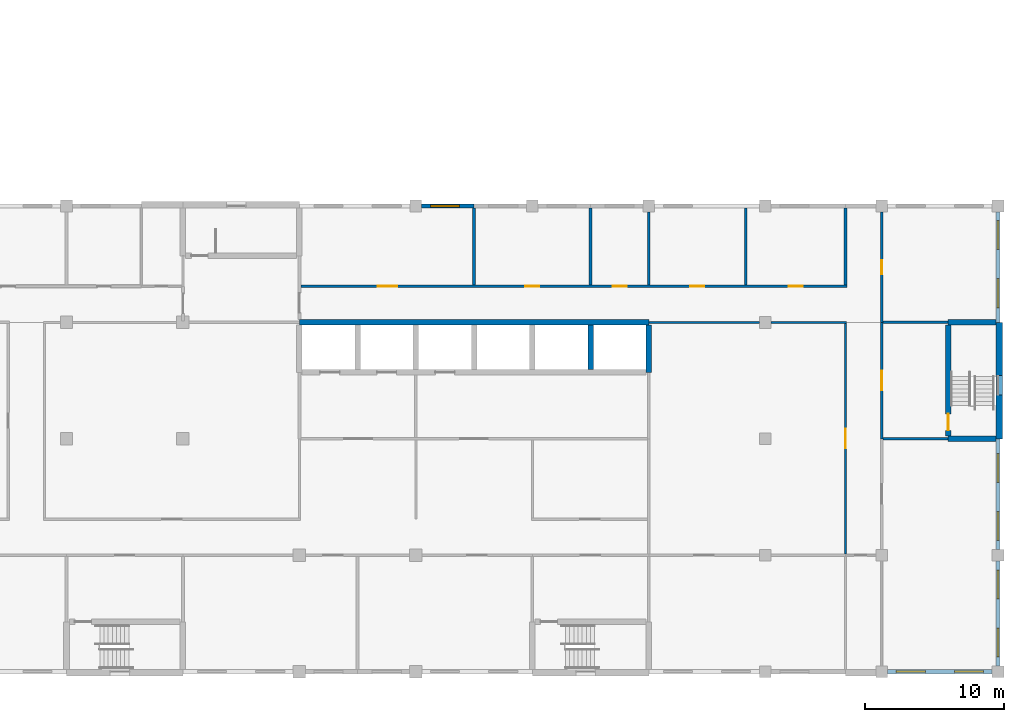
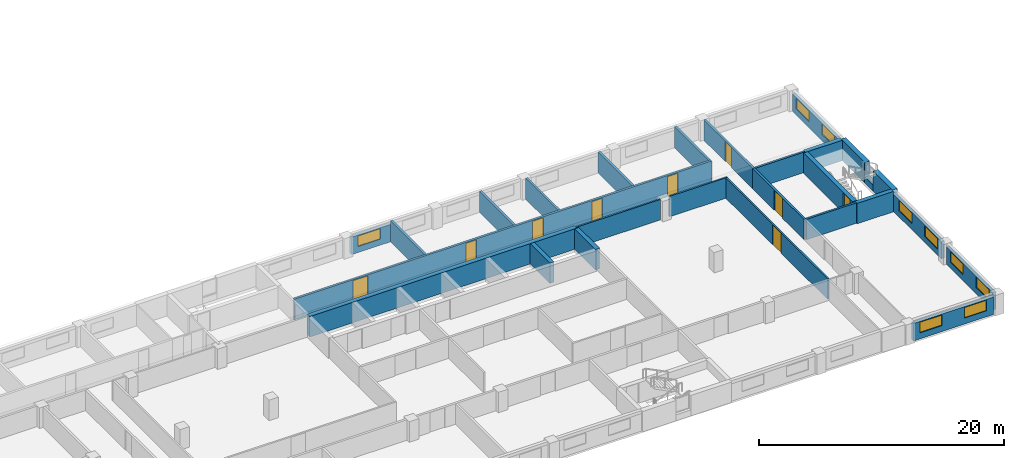
# One storey, part 40 of 48: 27 walls, 9 doors, 9 windows, 18 openings.
"""IFC4 building model written with IfcOpenShell, lengths in metres."""

from ifc_helpers import new_model, si_unit, direction, frame, frame_2d, origin, place, context, subcontext, project, spatial, rectangle, extrude, material, layer, layer_set, type_object, element, fill, save


model = new_model("IFC4")

# Units and contexts
model_context = context("Model", 3, precision=1e-05, world=origin(), true_north=direction((0.0, 1.0)))
body_context = subcontext(model_context, "Body", "Model", "MODEL_VIEW")
ifc_project = project(units=[si_unit("LENGTHUNIT", "METRE"), si_unit("AREAUNIT", "SQUARE_METRE"), si_unit("VOLUMEUNIT", "CUBIC_METRE"), si_unit("PLANEANGLEUNIT", "RADIAN"), si_unit("MASSUNIT", "GRAM", prefix="KILO")], contexts=[model_context])

# Site, building, storey
site_placement = place(None, origin())
site = spatial("IfcSite", under=ifc_project, at=site_placement, CompositionType="ELEMENT")
building_placement = place(site_placement, origin())
building = spatial("IfcBuilding", under=site, at=building_placement, Name="Yavir Park General Hospital", CompositionType="ELEMENT")
storey_placement = place(building_placement, frame((0.0, 0.0, 12.89990234375)))
storey = spatial("IfcBuildingStorey", under=building, at=storey_placement, Name="I02", CompositionType="ELEMENT", Elevation=12.89990234375)

# Walls
ifc_material_1 = material(Name="Double gypsum board fire partition on steel studs", Category="steel")
ifc_layer_1 = layer(ifc_material_1, 0.199951171875)
ifc_layer_set_1 = layer_set([ifc_layer_1], Name="Double gypsum board fire partition on steel studs")
wall_type_1 = type_object("IfcWallType", Name="Fire-rated partition 200, EI 60", PredefinedType="PARTITIONING", material=ifc_layer_set_1)
for number, where, z_axis, x_axis, name in (
    (1, (159.699951171875, 16.800048828125, 0.0), (0.0, 0.0, 1.0), (1.0, 0.0, 0.0), "FP20 I02-036"),
    (2, (159.699951171875, 25.199951171875, 0.0), (0.0, 0.0, 1.0), (1.0, 0.0, 0.0), "FP20 I02-060"),
):
    element("IfcWall", number, at=place(storey_placement, frame(where, z_axis=z_axis, x_axis=x_axis)), inside=storey, type_object=wall_type_1, Name=name, PredefinedType="PARTITIONING", context=body_context, shape_type="SweptSolid", body=[
        extrude(rectangle(XDim=4.699951171875, YDim=0.199951171875, at=frame_2d((2.35009765625, 0.0))), origin(), (0.0, 0.0, 1.0), 2.0400390625),
    ])

# Wall, opening, door
wall_1_placement = place(storey_placement, frame((159.60009765625, 16.800048828125, 0.0), z_axis=(0.0, 0.0, 1.0), x_axis=(0.0, 1.0, 0.0)))
wall_1 = element("IfcWall", 3, at=wall_1_placement, inside=storey, type_object=wall_type_1, Name="FP20 I02-207", PredefinedType="PARTITIONING", context=body_context, shape_type="SweptSolid", body=[
    extrude(rectangle(XDim=8.39990234375, YDim=0.199951171875, at=frame_2d((4.199951171875, 0.0))), origin(), (0.0, 0.0, 1.0), 2.0400390625),
])
opening_1_placement = place(wall_1_placement, frame((3.5, 0.0, 0.0)))
opening_1 = element("IfcOpeningElement", 4, at=opening_1_placement, cuts=wall_1, Name="Opening I02.D088", PredefinedType="OPENING", context=body_context, shape_type="SweptSolid", body=[
    extrude(rectangle(XDim=1.39990234375, YDim=2.0, at=frame_2d((0.699951171875, 1.0))), frame((0.0, 0.10986328125, 0.0), z_axis=(0.0, -1.0, 0.0), x_axis=(1.0, 0.0, 0.0)), (0.0, 0.0, 1.0), 0.219970703125),
])
ifc_material_2 = material(Name="Steel frame, fire-resisting leaves with vision panels", Category="steel")
door_type_1 = type_object("IfcDoorType", Name="Double fire door with vision panels 1400 x 2000, EI 60", OperationType="DOUBLE_DOOR_SINGLE_SWING", PredefinedType="DOOR", material=ifc_material_2)
door_1_placement = place(opening_1_placement, origin())
door_1 = element("IfcDoor", 5, at=door_1_placement, inside=storey, type_object=door_type_1, Name="I02.D088", OperationType="SINGLE_SWING_LEFT", OverallHeight=2.0, OverallWidth=1.39990234375, PredefinedType="DOOR", context=body_context, shape_type="SweptSolid", body=[
    extrude(rectangle(XDim=1.39990234375, YDim=2.0, at=frame_2d((0.699951171875, 1.0))), frame((0.0, 0.030029296875, 0.0), z_axis=(0.0, -1.0, 0.0), x_axis=(1.0, 0.0, 0.0)), (0.0, 0.0, 1.0), 0.06005859375),
])
fill(opening_1, door_1)

# Walls
ifc_material_3 = material(Name="Gypsum board partition on steel studs", Category="steel")
ifc_layer_2 = layer(ifc_material_3, 0.14990234375)
ifc_layer_set_2 = layer_set([ifc_layer_2], Name="Gypsum board partition on steel studs")
wall_type_2 = type_object("IfcWallType", Name="Gypsum board partition 150", PredefinedType="PARTITIONING", material=ifc_layer_set_2)
wall_2_placement = place(storey_placement, frame((142.800048828125, 25.199951171875, 0.0), z_axis=(0.0, 0.0, 1.0), x_axis=(1.0, 0.0, 0.0)))
element("IfcWall", 6, at=wall_2_placement, inside=storey, type_object=wall_type_2, Name="P15 I02-058", PredefinedType="PARTITIONING", context=body_context, shape_type="SweptSolid", body=[
    extrude(rectangle(XDim=7.974853515625, YDim=0.14990234375, at=frame_2d((3.9873046875, 0.0))), origin(), (0.0, 0.0, 1.0), 2.0400390625),
])
wall_3_placement = place(storey_placement, frame((151.625, 25.199951171875, 0.0), z_axis=(0.0, 0.0, 1.0), x_axis=(1.0, 0.0, 0.0)))
element("IfcWall", 7, at=wall_3_placement, inside=storey, type_object=wall_type_2, Name="P15 I02-059", PredefinedType="PARTITIONING", context=body_context, shape_type="SweptSolid", body=[
    extrude(rectangle(XDim=5.449951171875, YDim=0.14990234375, at=frame_2d((2.72509765625, 0.0))), origin(), (0.0, 0.0, 1.0), 2.0400390625),
])

# Wall, opening, door
wall_4_placement = place(storey_placement, frame((157.0, 8.5, 0.0), z_axis=(0.0, 0.0, 1.0), x_axis=(0.0, 1.0, 0.0)))
wall_4 = element("IfcWall", 8, at=wall_4_placement, inside=storey, type_object=wall_type_2, Name="P15 I02-203", PredefinedType="PARTITIONING", context=body_context, shape_type="SweptSolid", body=[
    extrude(rectangle(XDim=16.625, YDim=0.14990234375, at=frame_2d((8.3125, 0.0))), origin(), (0.0, 0.0, 1.0), 2.0400390625),
])
opening_2_placement = place(wall_4_placement, frame((7.612548828125, 0.0, 0.0)))
opening_2 = element("IfcOpeningElement", 9, at=opening_2_placement, cuts=wall_4, Name="Opening I02.D086", PredefinedType="OPENING", context=body_context, shape_type="SweptSolid", body=[
    extrude(rectangle(XDim=1.39990234375, YDim=2.0, at=frame_2d((0.699951171875, 1.0))), frame((0.0, 0.0849609375, 0.0), z_axis=(0.0, -1.0, 0.0), x_axis=(1.0, 0.0, 0.0)), (0.0, 0.0, 1.0), 0.169921875),
])
ifc_material_4 = material(Name="Hollow metal frame, solid-core timber leaf", Category="wood")
door_type_2 = type_object("IfcDoorType", Name="Double swing door 1400 x 2000", OperationType="DOUBLE_DOOR_SINGLE_SWING", PredefinedType="DOOR", material=ifc_material_4)
door_2_placement = place(opening_2_placement, origin())
door_2 = element("IfcDoor", 10, at=door_2_placement, inside=storey, type_object=door_type_2, Name="I02.D086", OperationType="SINGLE_SWING_RIGHT", OverallHeight=2.0, OverallWidth=1.39990234375, PredefinedType="DOOR", context=body_context, shape_type="SweptSolid", body=[
    extrude(rectangle(XDim=1.39990234375, YDim=2.0, at=frame_2d((0.699951171875, 1.0))), frame((0.0, 0.02490234375, 0.0), z_axis=(0.0, -1.0, 0.0), x_axis=(1.0, 0.0, 0.0)), (0.0, 0.0, 1.0), 0.050048828125),
])
fill(opening_2, door_2)

# Wall, openings, windows
ifc_material_5 = material(Name="Insulated sandwich panels on a Steel S355 subframe", Category="steel")
ifc_layer_3 = layer(ifc_material_5, 0.300048828125)
ifc_layer_set_3 = layer_set([ifc_layer_3], Name="Insulated sandwich panels on a Steel S355 subframe")
wall_type_3 = type_object("IfcWallType", Name="Insulated panel service floor wall 300, E 30", PredefinedType="SOLIDWALL", material=ifc_layer_set_3)
wall_5_placement = place(storey_placement, frame((160.02490234375, 0.0, 0.0), z_axis=(0.0, 0.0, 1.0), x_axis=(1.0, 0.0, 0.0)))
wall_5 = element("IfcWall", 11, at=wall_5_placement, inside=storey, type_object=wall_type_3, Name="XW5 I02-033", PredefinedType="SOLIDWALL", context=body_context, shape_type="SweptSolid", body=[
    extrude(rectangle(XDim=7.550048828125, YDim=0.300048828125, at=frame_2d((3.77490234375, 0.0))), origin(), (0.0, 0.0, 1.0), 1.739990234375),
])
opening_3_placement = place(wall_5_placement, frame((0.625, 0.0, 0.60009765625)))
opening_3 = element("IfcOpeningElement", 12, at=opening_3_placement, cuts=wall_5, Name="Opening LV3", PredefinedType="OPENING", context=body_context, shape_type="SweptSolid", body=[
    extrude(rectangle(XDim=2.10009765625, YDim=1.050048828125, at=frame_2d((1.050048828125, 0.52490234375))), frame((0.0, 0.159912109375, 0.0), z_axis=(0.0, -1.0, 0.0), x_axis=(1.0, 0.0, 0.0)), (0.0, 0.0, 1.0), 0.320068359375),
])
opening_4_placement = place(wall_5_placement, frame((4.824951171875, 0.0, 0.60009765625)))
opening_4 = element("IfcOpeningElement", 13, at=opening_4_placement, cuts=wall_5, Name="Opening LV3", PredefinedType="OPENING", context=body_context, shape_type="SweptSolid", body=[
    extrude(rectangle(XDim=2.10009765625, YDim=1.050048828125, at=frame_2d((1.050048828125, 0.52490234375))), frame((0.0, 0.159912109375, 0.0), z_axis=(0.0, -1.0, 0.0), x_axis=(1.0, 0.0, 0.0)), (0.0, 0.0, 1.0), 0.320068359375),
])
ifc_material_6 = material(Name="Anodised aluminium louvre blades in a deep frame", Category="aluminium")
window_type = type_object("IfcWindowType", Name="Interstitial floor louvre 2100 x 1050", PartitioningType="SINGLE_PANEL", PredefinedType="WINDOW", material=ifc_material_6)
window_1_placement = place(opening_3_placement, origin())
window_1 = element("IfcWindow", 14, at=window_1_placement, inside=storey, type_object=window_type, Name="LV3 I02-030", OverallHeight=1.050048828125, OverallWidth=2.10009765625, PartitioningType="SINGLE_PANEL", PredefinedType="WINDOW", context=body_context, shape_type="SweptSolid", body=[
    extrude(rectangle(XDim=2.10009765625, YDim=1.050048828125, at=frame_2d((1.050048828125, 0.52490234375))), frame((0.0, 0.074951171875, 0.0), z_axis=(0.0, -1.0, 0.0), x_axis=(1.0, 0.0, 0.0)), (0.0, 0.0, 1.0), 0.14990234375),
])
fill(opening_3, window_1)
window_2_placement = place(opening_4_placement, origin())
window_2 = element("IfcWindow", 15, at=window_2_placement, inside=storey, type_object=window_type, Name="LV3 I02-031", OverallHeight=1.050048828125, OverallWidth=2.10009765625, PartitioningType="SINGLE_PANEL", PredefinedType="WINDOW", context=body_context, shape_type="SweptSolid", body=[
    extrude(rectangle(XDim=2.10009765625, YDim=1.050048828125, at=frame_2d((1.050048828125, 0.52490234375))), frame((0.0, 0.074951171875, 0.0), z_axis=(0.0, -1.0, 0.0), x_axis=(1.0, 0.0, 0.0)), (0.0, 0.0, 1.0), 0.14990234375),
])
fill(opening_4, window_2)

# Wall, opening, window
wall_6_placement = place(storey_placement, frame((126.425048828125, 33.60009765625, 0.0), z_axis=(0.0, 0.0, 1.0), x_axis=(1.0, 0.0, 0.0)))
wall_6 = element("IfcWall", 16, at=wall_6_placement, inside=storey, type_object=wall_type_3, Name="XW5 I02-054", PredefinedType="SOLIDWALL", context=body_context, shape_type="SweptSolid", body=[
    extrude(rectangle(XDim=3.77490234375, YDim=0.300048828125, at=frame_2d((1.887451171875, 0.0))), origin(), (0.0, 0.0, 1.0), 1.739990234375),
])
opening_5_placement = place(wall_6_placement, frame((0.625, 0.0, 0.60009765625)))
opening_5 = element("IfcOpeningElement", 17, at=opening_5_placement, cuts=wall_6, Name="Opening LV3", PredefinedType="OPENING", context=body_context, shape_type="SweptSolid", body=[
    extrude(rectangle(XDim=2.10009765625, YDim=1.050048828125, at=frame_2d((1.050048828125, 0.52490234375))), frame((0.0, 0.159912109375, 0.0), z_axis=(0.0, -1.0, 0.0), x_axis=(1.0, 0.0, 0.0)), (0.0, 0.0, 1.0), 0.320068359375),
])
window_3_placement = place(opening_5_placement, origin())
window_3 = element("IfcWindow", 18, at=window_3_placement, inside=storey, type_object=window_type, Name="LV3 I02-051", OverallHeight=1.050048828125, OverallWidth=2.10009765625, PartitioningType="SINGLE_PANEL", PredefinedType="WINDOW", context=body_context, shape_type="SweptSolid", body=[
    extrude(rectangle(XDim=2.10009765625, YDim=1.050048828125, at=frame_2d((1.050048828125, 0.52490234375))), frame((0.0, 0.074951171875, 0.0), z_axis=(0.0, -1.0, 0.0), x_axis=(1.0, 0.0, 0.0)), (0.0, 0.0, 1.0), 0.14990234375),
])
fill(opening_5, window_3)

# Wall, openings, windows
wall_7_placement = place(storey_placement, frame((168.0, 0.425048828125, 0.0), z_axis=(0.0, 0.0, 1.0), x_axis=(0.0, 1.0, 0.0)))
wall_7 = element("IfcWall", 19, at=wall_7_placement, inside=storey, type_object=wall_type_3, Name="XW5 I02-105", PredefinedType="SOLIDWALL", context=body_context, shape_type="SweptSolid", body=[
    extrude(rectangle(XDim=7.550048828125, YDim=0.300048828125, at=frame_2d((3.77490234375, 0.0))), origin(), (0.0, 0.0, 1.0), 1.739990234375),
])
opening_6_placement = place(wall_7_placement, frame((0.625, 0.0, 0.60009765625)))
opening_6 = element("IfcOpeningElement", 20, at=opening_6_placement, cuts=wall_7, Name="Opening LV3", PredefinedType="OPENING", context=body_context, shape_type="SweptSolid", body=[
    extrude(rectangle(XDim=2.10009765625, YDim=1.050048828125, at=frame_2d((1.050048828125, 0.52490234375))), frame((0.0, 0.159912109375, 0.0), z_axis=(0.0, -1.0, 0.0), x_axis=(1.0, 0.0, 0.0)), (0.0, 0.0, 1.0), 0.320068359375),
])
opening_7_placement = place(wall_7_placement, frame((4.824951171875, 0.0, 0.60009765625)))
opening_7 = element("IfcOpeningElement", 21, at=opening_7_placement, cuts=wall_7, Name="Opening LV3", PredefinedType="OPENING", context=body_context, shape_type="SweptSolid", body=[
    extrude(rectangle(XDim=2.10009765625, YDim=1.050048828125, at=frame_2d((1.050048828125, 0.52490234375))), frame((0.0, 0.159912109375, 0.0), z_axis=(0.0, -1.0, 0.0), x_axis=(1.0, 0.0, 0.0)), (0.0, 0.0, 1.0), 0.320068359375),
])
window_4_placement = place(opening_6_placement, origin())
window_4 = element("IfcWindow", 22, at=window_4_placement, inside=storey, type_object=window_type, Name="LV3 I02-101", OverallHeight=1.050048828125, OverallWidth=2.10009765625, PartitioningType="SINGLE_PANEL", PredefinedType="WINDOW", context=body_context, shape_type="SweptSolid", body=[
    extrude(rectangle(XDim=2.10009765625, YDim=1.050048828125, at=frame_2d((1.050048828125, 0.52490234375))), frame((0.0, 0.074951171875, 0.0), z_axis=(0.0, -1.0, 0.0), x_axis=(1.0, 0.0, 0.0)), (0.0, 0.0, 1.0), 0.14990234375),
])
fill(opening_6, window_4)
window_5_placement = place(opening_7_placement, origin())
window_5 = element("IfcWindow", 23, at=window_5_placement, inside=storey, type_object=window_type, Name="LV3 I02-102", OverallHeight=1.050048828125, OverallWidth=2.10009765625, PartitioningType="SINGLE_PANEL", PredefinedType="WINDOW", context=body_context, shape_type="SweptSolid", body=[
    extrude(rectangle(XDim=2.10009765625, YDim=1.050048828125, at=frame_2d((1.050048828125, 0.52490234375))), frame((0.0, 0.074951171875, 0.0), z_axis=(0.0, -1.0, 0.0), x_axis=(1.0, 0.0, 0.0)), (0.0, 0.0, 1.0), 0.14990234375),
])
fill(opening_7, window_5)

wall_8_placement = place(storey_placement, frame((168.0, 8.824951171875, 0.0), z_axis=(0.0, 0.0, 1.0), x_axis=(0.0, 1.0, 0.0)))
wall_8 = element("IfcWall", 24, at=wall_8_placement, inside=storey, type_object=wall_type_3, Name="XW5 I02-106", PredefinedType="SOLIDWALL", context=body_context, shape_type="SweptSolid", body=[
    extrude(rectangle(XDim=7.97509765625, YDim=0.300048828125, at=frame_2d((3.987548828125, 0.0))), origin(), (0.0, 0.0, 1.0), 1.739990234375),
])
opening_8_placement = place(wall_8_placement, frame((0.625, 0.0, 0.60009765625)))
opening_8 = element("IfcOpeningElement", 25, at=opening_8_placement, cuts=wall_8, Name="Opening LV3", PredefinedType="OPENING", context=body_context, shape_type="SweptSolid", body=[
    extrude(rectangle(XDim=2.10009765625, YDim=1.050048828125, at=frame_2d((1.050048828125, 0.52490234375))), frame((0.0, 0.159912109375, 0.0), z_axis=(0.0, -1.0, 0.0), x_axis=(1.0, 0.0, 0.0)), (0.0, 0.0, 1.0), 0.320068359375),
])
opening_9_placement = place(wall_8_placement, frame((4.824951171875, 0.0, 0.60009765625)))
opening_9 = element("IfcOpeningElement", 26, at=opening_9_placement, cuts=wall_8, Name="Opening LV3", PredefinedType="OPENING", context=body_context, shape_type="SweptSolid", body=[
    extrude(rectangle(XDim=2.10009765625, YDim=1.050048828125, at=frame_2d((1.050048828125, 0.52490234375))), frame((0.0, 0.159912109375, 0.0), z_axis=(0.0, -1.0, 0.0), x_axis=(1.0, 0.0, 0.0)), (0.0, 0.0, 1.0), 0.320068359375),
])
window_6_placement = place(opening_8_placement, origin())
window_6 = element("IfcWindow", 27, at=window_6_placement, inside=storey, type_object=window_type, Name="LV3 I02-103", OverallHeight=1.050048828125, OverallWidth=2.10009765625, PartitioningType="SINGLE_PANEL", PredefinedType="WINDOW", context=body_context, shape_type="SweptSolid", body=[
    extrude(rectangle(XDim=2.10009765625, YDim=1.050048828125, at=frame_2d((1.050048828125, 0.52490234375))), frame((0.0, 0.074951171875, 0.0), z_axis=(0.0, -1.0, 0.0), x_axis=(1.0, 0.0, 0.0)), (0.0, 0.0, 1.0), 0.14990234375),
])
fill(opening_8, window_6)
window_7_placement = place(opening_9_placement, origin())
window_7 = element("IfcWindow", 28, at=window_7_placement, inside=storey, type_object=window_type, Name="LV3 I02-104", OverallHeight=1.050048828125, OverallWidth=2.10009765625, PartitioningType="SINGLE_PANEL", PredefinedType="WINDOW", context=body_context, shape_type="SweptSolid", body=[
    extrude(rectangle(XDim=2.10009765625, YDim=1.050048828125, at=frame_2d((1.050048828125, 0.52490234375))), frame((0.0, 0.074951171875, 0.0), z_axis=(0.0, -1.0, 0.0), x_axis=(1.0, 0.0, 0.0)), (0.0, 0.0, 1.0), 0.14990234375),
])
fill(opening_9, window_7)

wall_9_placement = place(storey_placement, frame((168.0, 25.199951171875, 0.0), z_axis=(0.0, 0.0, 1.0), x_axis=(0.0, 1.0, 0.0)))
wall_9 = element("IfcWall", 29, at=wall_9_placement, inside=storey, type_object=wall_type_3, Name="XW5 I02-110", PredefinedType="SOLIDWALL", context=body_context, shape_type="SweptSolid", body=[
    extrude(rectangle(XDim=7.97509765625, YDim=0.300048828125, at=frame_2d((3.987548828125, 0.0))), origin(), (0.0, 0.0, 1.0), 1.739990234375),
])
opening_10_placement = place(wall_9_placement, frame((1.050048828125, 0.0, 0.60009765625)))
opening_10 = element("IfcOpeningElement", 30, at=opening_10_placement, cuts=wall_9, Name="Opening LV3", PredefinedType="OPENING", context=body_context, shape_type="SweptSolid", body=[
    extrude(rectangle(XDim=2.10009765625, YDim=1.050048828125, at=frame_2d((1.050048828125, 0.52490234375))), frame((0.0, 0.159912109375, 0.0), z_axis=(0.0, -1.0, 0.0), x_axis=(1.0, 0.0, 0.0)), (0.0, 0.0, 1.0), 0.320068359375),
])
opening_11_placement = place(wall_9_placement, frame((5.25, 0.0, 0.60009765625)))
opening_11 = element("IfcOpeningElement", 31, at=opening_11_placement, cuts=wall_9, Name="Opening LV3", PredefinedType="OPENING", context=body_context, shape_type="SweptSolid", body=[
    extrude(rectangle(XDim=2.10009765625, YDim=1.050048828125, at=frame_2d((1.050048828125, 0.52490234375))), frame((0.0, 0.159912109375, 0.0), z_axis=(0.0, -1.0, 0.0), x_axis=(1.0, 0.0, 0.0)), (0.0, 0.0, 1.0), 0.320068359375),
])
window_8_placement = place(opening_10_placement, origin())
window_8 = element("IfcWindow", 32, at=window_8_placement, inside=storey, type_object=window_type, Name="LV3 I02-105", OverallHeight=1.050048828125, OverallWidth=2.10009765625, PartitioningType="SINGLE_PANEL", PredefinedType="WINDOW", context=body_context, shape_type="SweptSolid", body=[
    extrude(rectangle(XDim=2.10009765625, YDim=1.050048828125, at=frame_2d((1.050048828125, 0.52490234375))), frame((0.0, 0.074951171875, 0.0), z_axis=(0.0, -1.0, 0.0), x_axis=(1.0, 0.0, 0.0)), (0.0, 0.0, 1.0), 0.14990234375),
])
fill(opening_10, window_8)
window_9_placement = place(opening_11_placement, origin())
window_9 = element("IfcWindow", 33, at=window_9_placement, inside=storey, type_object=window_type, Name="LV3 I02-106", OverallHeight=1.050048828125, OverallWidth=2.10009765625, PartitioningType="SINGLE_PANEL", PredefinedType="WINDOW", context=body_context, shape_type="SweptSolid", body=[
    extrude(rectangle(XDim=2.10009765625, YDim=1.050048828125, at=frame_2d((1.050048828125, 0.52490234375))), frame((0.0, 0.074951171875, 0.0), z_axis=(0.0, -1.0, 0.0), x_axis=(1.0, 0.0, 0.0)), (0.0, 0.0, 1.0), 0.14990234375),
])
fill(opening_11, window_9)

# Wall, openings, doors
ifc_material_7 = material(Name="Clay block masonry infill", Category="masonry")
ifc_layer_4 = layer(ifc_material_7, 0.199951171875)
ifc_layer_set_4 = layer_set([ifc_layer_4], Name="Clay block masonry infill")
wall_type_4 = type_object("IfcWallType", Name="Masonry infill wall 200", PredefinedType="SOLIDWALL", material=ifc_layer_set_4)
wall_10_placement = place(storey_placement, frame((117.699951171875, 27.800048828125, 0.0), z_axis=(0.0, 0.0, 1.0), x_axis=(1.0, 0.0, 0.0)))
wall_10 = element("IfcWall", 34, at=wall_10_placement, inside=storey, type_object=wall_type_4, Name="MW20 I02-067", PredefinedType="SOLIDWALL", context=body_context, shape_type="SweptSolid", body=[
    extrude(rectangle(XDim=39.400146484375, YDim=0.199951171875, at=frame_2d((19.7001953125, 0.0))), origin(), (0.0, 0.0, 1.0), 2.10009765625),
])
opening_12_placement = place(wall_10_placement, frame((5.550048828125, 0.0, 0.0)))
opening_12 = element("IfcOpeningElement", 35, at=opening_12_placement, cuts=wall_10, Name="Opening I02.D046", PredefinedType="OPENING", context=body_context, shape_type="SweptSolid", body=[
    extrude(rectangle(XDim=1.39990234375, YDim=2.0, at=frame_2d((0.699951171875, 1.0))), frame((0.0, 0.10986328125, 0.0), z_axis=(0.0, -1.0, 0.0), x_axis=(1.0, 0.0, 0.0)), (0.0, 0.0, 1.0), 0.219970703125),
])
opening_13_placement = place(wall_10_placement, frame((16.199951171875, 0.0, 0.0)))
opening_13 = element("IfcOpeningElement", 36, at=opening_13_placement, cuts=wall_10, Name="Opening I02.D047", PredefinedType="OPENING", context=body_context, shape_type="SweptSolid", body=[
    extrude(rectangle(XDim=1.0, YDim=2.0, at=frame_2d((0.5, 1.0))), frame((0.0, 0.10986328125, 0.0), z_axis=(0.0, -1.0, 0.0), x_axis=(1.0, 0.0, 0.0)), (0.0, 0.0, 1.0), 0.219970703125),
])
opening_14_placement = place(wall_10_placement, frame((22.5, 0.0, 0.0)))
opening_14 = element("IfcOpeningElement", 37, at=opening_14_placement, cuts=wall_10, Name="Opening I02.D048", PredefinedType="OPENING", context=body_context, shape_type="SweptSolid", body=[
    extrude(rectangle(XDim=1.0, YDim=2.0, at=frame_2d((0.5, 1.0))), frame((0.0, 0.10986328125, 0.0), z_axis=(0.0, -1.0, 0.0), x_axis=(1.0, 0.0, 0.0)), (0.0, 0.0, 1.0), 0.219970703125),
])
opening_15_placement = place(wall_10_placement, frame((28.10009765625, 0.0, 0.0)))
opening_15 = element("IfcOpeningElement", 38, at=opening_15_placement, cuts=wall_10, Name="Opening I02.D049", PredefinedType="OPENING", context=body_context, shape_type="SweptSolid", body=[
    extrude(rectangle(XDim=1.0, YDim=2.0, at=frame_2d((0.5, 1.0))), frame((0.0, 0.10986328125, 0.0), z_axis=(0.0, -1.0, 0.0), x_axis=(1.0, 0.0, 0.0)), (0.0, 0.0, 1.0), 0.219970703125),
])
opening_16_placement = place(wall_10_placement, frame((35.199951171875, 0.0, 0.0)))
opening_16 = element("IfcOpeningElement", 39, at=opening_16_placement, cuts=wall_10, Name="Opening I02.D050", PredefinedType="OPENING", context=body_context, shape_type="SweptSolid", body=[
    extrude(rectangle(XDim=1.0, YDim=2.0, at=frame_2d((0.5, 1.0))), frame((0.0, 0.10986328125, 0.0), z_axis=(0.0, -1.0, 0.0), x_axis=(1.0, 0.0, 0.0)), (0.0, 0.0, 1.0), 0.219970703125),
])
door_3_placement = place(opening_12_placement, origin())
door_3 = element("IfcDoor", 40, at=door_3_placement, inside=storey, type_object=door_type_2, Name="I02.D046", OperationType="SINGLE_SWING_LEFT", OverallHeight=2.0, OverallWidth=1.39990234375, PredefinedType="DOOR", context=body_context, shape_type="SweptSolid", body=[
    extrude(rectangle(XDim=1.39990234375, YDim=2.0, at=frame_2d((0.699951171875, 1.0))), frame((0.0, 0.02490234375, 0.0), z_axis=(0.0, -1.0, 0.0), x_axis=(1.0, 0.0, 0.0)), (0.0, 0.0, 1.0), 0.050048828125),
])
fill(opening_12, door_3)
ifc_material_8 = material(Name="Hollow metal frame, solid-core timber leaf", Category="wood")
door_type_3 = type_object("IfcDoorType", Name="Single swing door 1000 x 2000", OperationType="SINGLE_SWING_LEFT", PredefinedType="DOOR", material=ifc_material_8)
door_4_placement = place(opening_13_placement, origin())
door_4 = element("IfcDoor", 41, at=door_4_placement, inside=storey, type_object=door_type_3, Name="I02.D047", OperationType="SINGLE_SWING_RIGHT", OverallHeight=2.0, OverallWidth=1.0, PredefinedType="DOOR", context=body_context, shape_type="SweptSolid", body=[
    extrude(rectangle(XDim=1.0, YDim=2.0, at=frame_2d((0.5, 1.0))), frame((0.0, 0.02490234375, 0.0), z_axis=(0.0, -1.0, 0.0), x_axis=(1.0, 0.0, 0.0)), (0.0, 0.0, 1.0), 0.050048828125),
])
fill(opening_13, door_4)
door_5_placement = place(opening_14_placement, origin())
door_5 = element("IfcDoor", 42, at=door_5_placement, inside=storey, type_object=door_type_3, Name="I02.D048", OperationType="SINGLE_SWING_RIGHT", OverallHeight=2.0, OverallWidth=1.0, PredefinedType="DOOR", context=body_context, shape_type="SweptSolid", body=[
    extrude(rectangle(XDim=1.0, YDim=2.0, at=frame_2d((0.5, 1.0))), frame((0.0, 0.02490234375, 0.0), z_axis=(0.0, -1.0, 0.0), x_axis=(1.0, 0.0, 0.0)), (0.0, 0.0, 1.0), 0.050048828125),
])
fill(opening_14, door_5)
door_6_placement = place(opening_15_placement, origin())
door_6 = element("IfcDoor", 43, at=door_6_placement, inside=storey, type_object=door_type_3, Name="I02.D049", OperationType="SINGLE_SWING_RIGHT", OverallHeight=2.0, OverallWidth=1.0, PredefinedType="DOOR", context=body_context, shape_type="SweptSolid", body=[
    extrude(rectangle(XDim=1.0, YDim=2.0, at=frame_2d((0.5, 1.0))), frame((0.0, 0.02490234375, 0.0), z_axis=(0.0, -1.0, 0.0), x_axis=(1.0, 0.0, 0.0)), (0.0, 0.0, 1.0), 0.050048828125),
])
fill(opening_15, door_6)
door_7_placement = place(opening_16_placement, origin())
door_7 = element("IfcDoor", 44, at=door_7_placement, inside=storey, type_object=door_type_3, Name="I02.D050", OperationType="SINGLE_SWING_RIGHT", OverallHeight=2.0, OverallWidth=1.0, PredefinedType="DOOR", context=body_context, shape_type="SweptSolid", body=[
    extrude(rectangle(XDim=1.0, YDim=2.0, at=frame_2d((0.5, 1.0))), frame((0.0, 0.02490234375, 0.0), z_axis=(0.0, -1.0, 0.0), x_axis=(1.0, 0.0, 0.0)), (0.0, 0.0, 1.0), 0.050048828125),
])
fill(opening_16, door_7)

# Walls
for number, where, z_axis, x_axis, name in (
    (45, (130.199951171875, 27.89990234375, 0.0), (0.0, 0.0, 1.0), (0.0, 1.0, 0.0), "MW20 I02-188"),
    (46, (138.60009765625, 27.89990234375, 0.0), (0.0, 0.0, 1.0), (0.0, 1.0, 0.0), "MW20 I02-194"),
):
    element("IfcWall", number, at=place(storey_placement, frame(where, z_axis=z_axis, x_axis=x_axis)), inside=storey, type_object=wall_type_4, Name=name, PredefinedType="SOLIDWALL", context=body_context, shape_type="SweptSolid", body=[
        extrude(rectangle(XDim=5.550048828125, YDim=0.199951171875, at=frame_2d((2.77490234375, 0.0))), origin(), (0.0, 0.0, 1.0), 2.10009765625),
    ])
wall_11_placement = place(storey_placement, frame((142.800048828125, 27.89990234375, 0.0), z_axis=(0.0, 0.0, 1.0), x_axis=(0.0, 1.0, 0.0)))
element("IfcWall", 47, at=wall_11_placement, inside=storey, type_object=wall_type_4, Name="MW20 I02-200", PredefinedType="SOLIDWALL", context=body_context, shape_type="SweptSolid", body=[
    extrude(rectangle(XDim=5.275146484375, YDim=0.199951171875, at=frame_2d((2.6376953125, 0.0))), origin(), (0.0, 0.0, 1.0), 2.10009765625),
])
for number, where, z_axis, x_axis, name in (
    (48, (149.800048828125, 27.89990234375, 0.0), (0.0, 0.0, 1.0), (0.0, 1.0, 0.0), "MW20 I02-201"),
    (49, (157.0, 27.89990234375, 0.0), (0.0, 0.0, 1.0), (0.0, 1.0, 0.0), "MW20 I02-204"),
):
    element("IfcWall", number, at=place(storey_placement, frame(where, z_axis=z_axis, x_axis=x_axis)), inside=storey, type_object=wall_type_4, Name=name, PredefinedType="SOLIDWALL", context=body_context, shape_type="SweptSolid", body=[
        extrude(rectangle(XDim=5.550048828125, YDim=0.199951171875, at=frame_2d((2.77490234375, 0.0))), origin(), (0.0, 0.0, 1.0), 2.10009765625),
    ])

# Wall, opening, door
wall_12_placement = place(storey_placement, frame((159.60009765625, 25.199951171875, 0.0), z_axis=(0.0, 0.0, 1.0), x_axis=(0.0, 1.0, 0.0)))
wall_12 = element("IfcWall", 50, at=wall_12_placement, inside=storey, type_object=wall_type_4, Name="MW20 I02-208", PredefinedType="SOLIDWALL", context=body_context, shape_type="SweptSolid", body=[
    extrude(rectangle(XDim=7.97509765625, YDim=0.199951171875, at=frame_2d((3.987548828125, 0.0))), origin(), (0.0, 0.0, 1.0), 2.0400390625),
])
opening_17_placement = place(wall_12_placement, frame((3.487548828125, 0.0, 0.0)))
opening_17 = element("IfcOpeningElement", 51, at=opening_17_placement, cuts=wall_12, Name="Opening I02.D089", PredefinedType="OPENING", context=body_context, shape_type="SweptSolid", body=[
    extrude(rectangle(XDim=1.0, YDim=2.0, at=frame_2d((0.5, 1.0))), frame((0.0, 0.10986328125, 0.0), z_axis=(0.0, -1.0, 0.0), x_axis=(1.0, 0.0, 0.0)), (0.0, 0.0, 1.0), 0.219970703125),
])
door_8_placement = place(opening_17_placement, origin())
door_8 = element("IfcDoor", 52, at=door_8_placement, inside=storey, type_object=door_type_3, Name="I02.D089", OperationType="SINGLE_SWING_LEFT", OverallHeight=2.0, OverallWidth=1.0, PredefinedType="DOOR", context=body_context, shape_type="SweptSolid", body=[
    extrude(rectangle(XDim=1.0, YDim=2.0, at=frame_2d((0.5, 1.0))), frame((0.0, 0.02490234375, 0.0), z_axis=(0.0, -1.0, 0.0), x_axis=(1.0, 0.0, 0.0)), (0.0, 0.0, 1.0), 0.050048828125),
])
fill(opening_17, door_8)

# Walls
ifc_material_9 = material(Name="Concrete C35/45", Category="concrete")
ifc_layer_5 = layer(ifc_material_9, 0.39990234375)
ifc_layer_set_5 = layer_set([ifc_layer_5], Name="Concrete C35/45")
wall_type_5 = type_object("IfcWallType", Name="Reinforced concrete core wall 400, REI 150", PredefinedType="SHEAR", material=ifc_layer_set_5)
wall_13_placement = place(storey_placement, frame((164.39990234375, 16.800048828125, 0.0), z_axis=(0.0, 0.0, 1.0), x_axis=(1.0, 0.0, 0.0)))
element("IfcWall", 53, at=wall_13_placement, inside=storey, type_object=wall_type_5, Name="CW40 I02-037", PredefinedType="SHEAR", context=body_context, shape_type="SweptSolid", body=[
    extrude(rectangle(XDim=3.4501953125, YDim=0.39990234375, at=frame_2d((1.72509765625, 0.0))), origin(), (0.0, 0.0, 1.0), 2.0400390625),
])
wall_14_placement = place(storey_placement, frame((117.60009765625, 25.199951171875, 0.0), z_axis=(0.0, 0.0, 1.0), x_axis=(1.0, 0.0, 0.0)))
element("IfcWall", 54, at=wall_14_placement, inside=storey, type_object=wall_type_5, Name="CW40 I02-057", PredefinedType="SHEAR", context=body_context, shape_type="SweptSolid", body=[
    extrude(rectangle(XDim=25.199951171875, YDim=0.39990234375, at=frame_2d((12.60009765625, 0.0))), origin(), (0.0, 0.0, 1.0), 2.0400390625),
])
wall_15_placement = place(storey_placement, frame((164.39990234375, 25.199951171875, 0.0), z_axis=(0.0, 0.0, 1.0), x_axis=(1.0, 0.0, 0.0)))
element("IfcWall", 55, at=wall_15_placement, inside=storey, type_object=wall_type_5, Name="CW40 I02-061", PredefinedType="SHEAR", context=body_context, shape_type="SweptSolid", body=[
    extrude(rectangle(XDim=3.4501953125, YDim=0.39990234375, at=frame_2d((1.72509765625, 0.0))), origin(), (0.0, 0.0, 1.0), 2.0400390625),
])
wall_16_placement = place(storey_placement, frame((138.60009765625, 21.800048828125, 0.0), z_axis=(0.0, 0.0, 1.0), x_axis=(0.0, 1.0, 0.0)))
element("IfcWall", 56, at=wall_16_placement, inside=storey, type_object=wall_type_5, Name="CW40 I02-193", PredefinedType="SHEAR", context=body_context, shape_type="SweptSolid", body=[
    extrude(rectangle(XDim=3.199951171875, YDim=0.39990234375, at=frame_2d((1.60009765625, 0.0))), origin(), (0.0, 0.0, 1.0), 2.0400390625),
])
wall_17_placement = place(storey_placement, frame((142.800048828125, 21.60009765625, 0.0), z_axis=(0.0, 0.0, 1.0), x_axis=(0.0, 1.0, 0.0)))
element("IfcWall", 57, at=wall_17_placement, inside=storey, type_object=wall_type_5, Name="CW40 I02-199", PredefinedType="SHEAR", context=body_context, shape_type="SweptSolid", body=[
    extrude(rectangle(XDim=3.39990234375, YDim=0.39990234375, at=frame_2d((1.699951171875, 0.0))), origin(), (0.0, 0.0, 1.0), 2.0400390625),
])

# Wall, opening, door
wall_18_placement = place(storey_placement, frame((164.39990234375, 17.0, 0.0), z_axis=(0.0, 0.0, 1.0), x_axis=(0.0, 1.0, 0.0)))
wall_18 = element("IfcWall", 58, at=wall_18_placement, inside=storey, type_object=wall_type_5, Name="CW40 I02-209", PredefinedType="SHEAR", context=body_context, shape_type="SweptSolid", body=[
    extrude(rectangle(XDim=8.0, YDim=0.39990234375, at=frame_2d((4.0, 0.0))), origin(), (0.0, 0.0, 1.0), 2.0400390625),
])
opening_18_placement = place(wall_18_placement, frame((0.39990234375, 0.0, 0.0)))
opening_18 = element("IfcOpeningElement", 59, at=opening_18_placement, cuts=wall_18, Name="Opening I02.D090", PredefinedType="OPENING", context=body_context, shape_type="SweptSolid", body=[
    extrude(rectangle(XDim=1.199951171875, YDim=2.0, at=frame_2d((0.60009765625, 1.0))), frame((0.0, 0.2099609375, 0.0), z_axis=(0.0, -1.0, 0.0), x_axis=(1.0, 0.0, 0.0)), (0.0, 0.0, 1.0), 0.419921875),
])
ifc_material_10 = material(Name="Steel frame, fire-resisting timber leaf", Category="steel")
door_type_4 = type_object("IfcDoorType", Name="Fire door 1200 x 2000, EI 60", OperationType="SINGLE_SWING_LEFT", PredefinedType="DOOR", material=ifc_material_10)
door_9_placement = place(opening_18_placement, origin())
door_9 = element("IfcDoor", 60, at=door_9_placement, inside=storey, type_object=door_type_4, Name="I02.D090", OperationType="SINGLE_SWING_LEFT", OverallHeight=2.0, OverallWidth=1.199951171875, PredefinedType="DOOR", context=body_context, shape_type="SweptSolid", body=[
    extrude(rectangle(XDim=1.199951171875, YDim=2.0, at=frame_2d((0.60009765625, 1.0))), frame((0.0, 0.02490234375, 0.0), z_axis=(0.0, -1.0, 0.0), x_axis=(1.0, 0.0, 0.0)), (0.0, 0.0, 1.0), 0.050048828125),
])
fill(opening_18, door_9)

# Walls
ifc_material_11 = material(Name="Concrete C30/37 precast panel with 150 mm mineral wool insulation", Category="concrete")
ifc_layer_6 = layer(ifc_material_11, 0.449951171875)
ifc_layer_set_6 = layer_set([ifc_layer_6], Name="Concrete C30/37 precast panel with 150 mm mineral wool insulation")
wall_type_6 = type_object("IfcWallType", Name="Stair enclosure wall 450, REI 150", PredefinedType="SOLIDWALL", material=ifc_layer_set_6)
wall_19_placement = place(storey_placement, frame((168.074951171875, 16.800048828125, 0.0), z_axis=(0.0, 0.0, 1.0), x_axis=(0.0, 1.0, 0.0)))
element("IfcWall", 61, at=wall_19_placement, inside=storey, type_object=wall_type_6, Name="XW6 I02-107", PredefinedType="SOLIDWALL", context=body_context, shape_type="SweptSolid", body=[
    extrude(rectangle(XDim=3.14990234375, YDim=0.449951171875, at=frame_2d((1.574951171875, 0.0))), origin(), (0.0, 0.0, 1.0), 2.0400390625),
])
wall_20_placement = place(storey_placement, frame((168.074951171875, 21.35009765625, 0.0), z_axis=(0.0, 0.0, 1.0), x_axis=(0.0, 1.0, 0.0)))
element("IfcWall", 62, at=wall_20_placement, inside=storey, type_object=wall_type_6, Name="XW6 I02-108", PredefinedType="SOLIDWALL", context=body_context, shape_type="SweptSolid", body=[
    extrude(rectangle(XDim=3.849853515625, YDim=0.449951171875, at=frame_2d((1.9248046875, 0.0))), origin(), (0.0, 0.0, 1.0), 2.0400390625),
])
wall_21_placement = place(storey_placement, frame((168.074951171875, 19.949951171875, 0.0), z_axis=(0.0, 0.0, 1.0), x_axis=(0.0, 1.0, 0.0)))
element("IfcWall", 63, at=wall_21_placement, inside=storey, type_object=wall_type_6, Name="XW6 I02-109", PredefinedType="SOLIDWALL", context=body_context, shape_type="SweptSolid", body=[
    extrude(rectangle(XDim=1.400146484375, YDim=0.449951171875, at=frame_2d((0.7001953125, 0.0))), origin(), (0.0, 0.0, 1.0), 0.60009765625),
])

save(model, "model.ifc")
